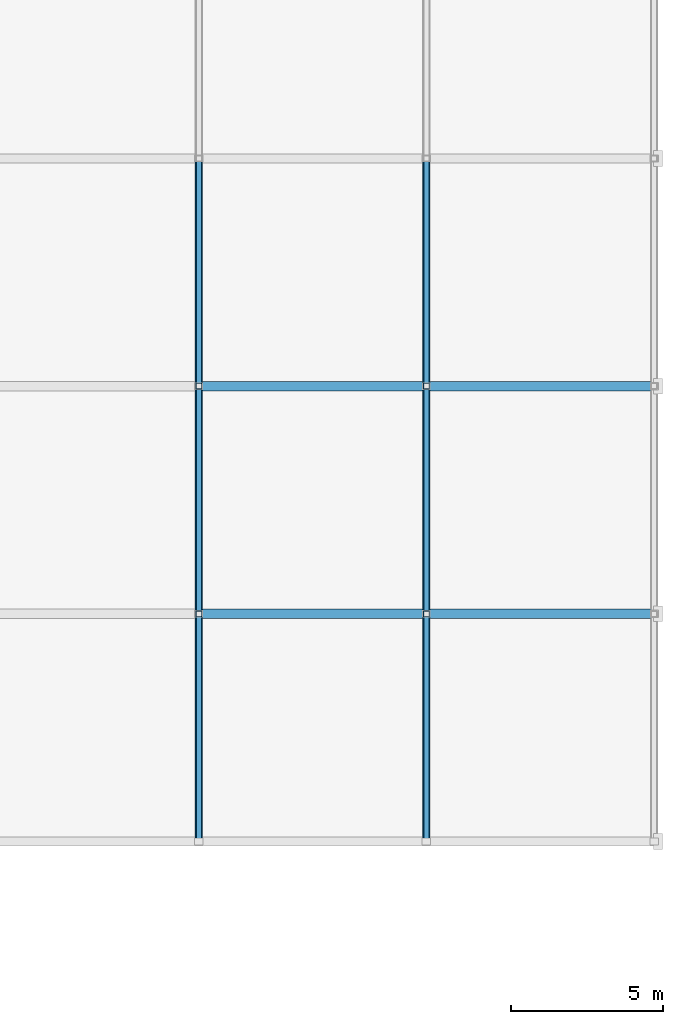
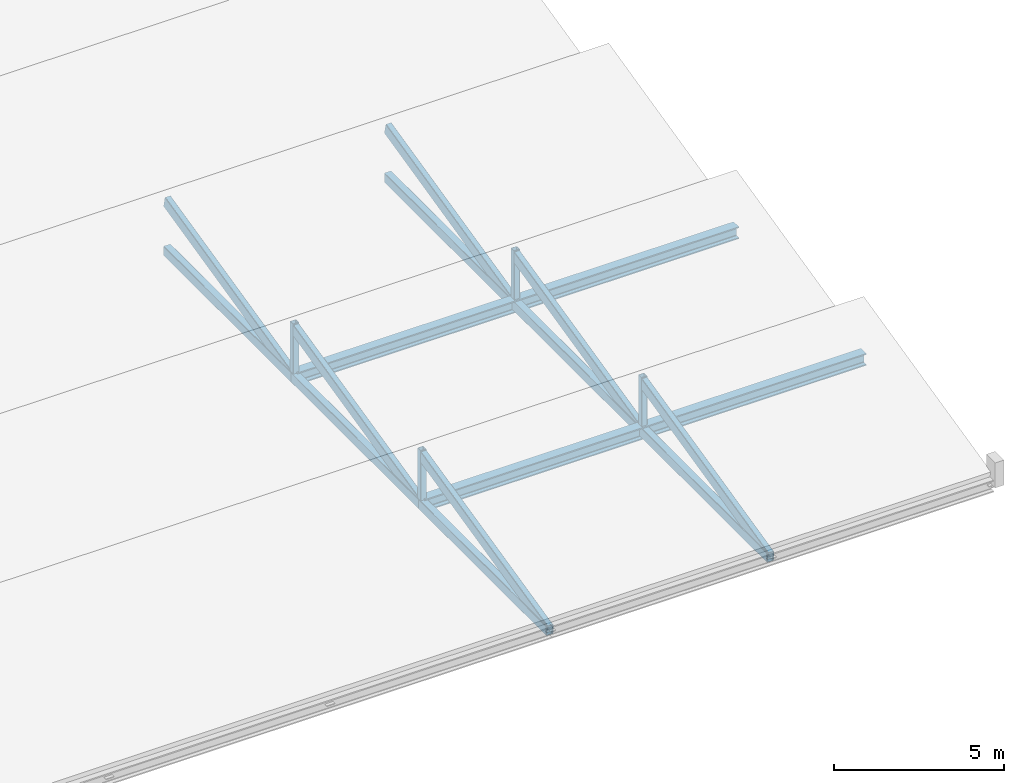
# One storey, part 43 of 82: 18 members.
"""IFC4 building model written with IfcOpenShell, lengths in metres."""

from ifc_helpers import new_model, si_unit, direction, frame, origin, origin_2d, place, context, subcontext, project, spatial, hollow_rectangle, i_section, extrude, material, material_profile, profile_set, type_object, element, save


model = new_model("IFC4")

# Units and contexts
model_context = context("Model", 3, precision=1e-05, world=origin(), true_north=direction((0.0, 1.0)))
body_context = subcontext(model_context, "Body", "Model", "MODEL_VIEW")
ifc_project = project(units=[si_unit("LENGTHUNIT", "METRE"), si_unit("AREAUNIT", "SQUARE_METRE"), si_unit("VOLUMEUNIT", "CUBIC_METRE"), si_unit("PLANEANGLEUNIT", "RADIAN"), si_unit("MASSUNIT", "GRAM", prefix="KILO")], contexts=[model_context])

# Site, building, storey
site_placement = place(None, origin())
site = spatial("IfcSite", under=ifc_project, at=site_placement, CompositionType="ELEMENT")
building_placement = place(site_placement, origin())
building = spatial("IfcBuilding", under=site, at=building_placement, Name="Qasida Concert Hall", CompositionType="ELEMENT")
storey_placement = place(building_placement, frame((0.0, 0.0, 17.10009765625)))
storey = spatial("IfcBuildingStorey", under=building, at=storey_placement, Name="L04", CompositionType="ELEMENT", Elevation=17.10009765625)

# Members
ifc_material = material(Name="Steel S355J2", Category="steel")
ifc_material_profile_1 = material_profile(ifc_material, i_section(OverallWidth=0.306884765625, OverallDepth=0.431884765625, WebThickness=0.02099609375, FlangeThickness=0.0400390625, FilletRadius=0.027099609375, at=origin_2d()), Name="HEM 400")
ifc_profile_set_1 = profile_set([ifc_material_profile_1], Name="Steel S355J2")
member_type_1 = type_object("IfcMemberType", Name="MB-CH3", PredefinedType="CHORD", material=ifc_profile_set_1)
for number, where, z_axis, x_axis, name in (
    (1, (150.0, 82.5, 0.0), (1.0, 0.0, 0.0), (0.0, 1.0, 0.0), "Roof truss sawtooth bottom chord V4T-004"),
    (2, (150.0, 90.0, 0.0), (1.0, 0.0, 0.0), (0.0, 1.0, 0.0), "Roof truss sawtooth bottom chord V4T-006"),
):
    element("IfcMember", number, at=place(storey_placement, frame(where, z_axis=z_axis, x_axis=x_axis)), inside=storey, type_object=member_type_1, Name=name, PredefinedType="CHORD", context=body_context, shape_type="SweptSolid", body=[
        extrude(i_section(OverallWidth=0.306884765625, OverallDepth=0.431884765625, WebThickness=0.02099609375, FlangeThickness=0.0400390625, FilletRadius=0.027099609375, at=origin_2d()), origin(), (0.0, 0.0, 1.0), 15.0),
    ])
ifc_material_profile_2 = material_profile(ifc_material, hollow_rectangle(XDim=0.199951171875, YDim=0.39990234375, WallThickness=0.01611328125, InnerFilletRadius=0.01611328125, OuterFilletRadius=0.031982421875, at=origin_2d()), Name="RHS 400x200x16")
ifc_profile_set_2 = profile_set([ifc_material_profile_2], Name="Steel S355J2")
member_type_2 = type_object("IfcMemberType", Name="MB-CH4", PredefinedType="CHORD", material=ifc_profile_set_2)
for number, where, z_axis, x_axis, name in (
    (3, (150.0, 75.0, 0.0), (0.0, 0.973841209742, 0.227229615606), (-1.0, 0.0, 0.0), "Roof truss sawtooth rafter V4R-023"),
    (4, (157.5, 75.0, 0.0), (0.0, 0.973841209742, 0.227229615606), (-1.0, 0.0, 0.0), "Roof truss sawtooth rafter V4R-026"),
    (5, (150.0, 82.5, 0.0), (0.0, 0.973841209742, 0.227229615606), (-1.0, 0.0, 0.0), "Roof truss sawtooth rafter V4R-041"),
    (6, (157.5, 82.5, 0.0), (0.0, 0.973841209742, 0.227229615606), (-1.0, 0.0, 0.0), "Roof truss sawtooth rafter V4R-044"),
    (7, (150.0, 90.0, 0.0), (0.0, 0.973841209742, 0.227229615606), (-1.0, 0.0, 0.0), "Roof truss sawtooth rafter V4R-059"),
    (8, (157.5, 90.0, 0.0), (0.0, 0.973841209742, 0.227229615606), (-1.0, 0.0, 0.0), "Roof truss sawtooth rafter V4R-062"),
):
    element("IfcMember", number, at=place(storey_placement, frame(where, z_axis=z_axis, x_axis=x_axis)), inside=storey, type_object=member_type_2, Name=name, PredefinedType="CHORD", context=body_context, shape_type="SweptSolid", body=[
        extrude(hollow_rectangle(XDim=0.199951171875, YDim=0.39990234375, WallThickness=0.01611328125, InnerFilletRadius=0.01611328125, OuterFilletRadius=0.031982421875, at=origin_2d()), origin(), (0.0, 0.0, 1.0), 7.701416015625),
    ])
ifc_material_profile_3 = material_profile(ifc_material, hollow_rectangle(XDim=0.25, YDim=0.35009765625, WallThickness=0.01611328125, InnerFilletRadius=0.01611328125, OuterFilletRadius=0.031982421875, at=origin_2d()), Name="RHS 350x250x16")
ifc_profile_set_3 = profile_set([ifc_material_profile_3], Name="Steel S355J2")
member_type_3 = type_object("IfcMemberType", Name="MB-CH5", PredefinedType="CHORD", material=ifc_profile_set_3)
for number, where, z_axis, x_axis, name in (
    (9, (150.0, 75.0, 0.0), (0.0, 1.0, 0.0), (-1.0, 0.0, 0.0), "Roof truss sawtooth tie V4B-022"),
    (10, (157.5, 75.0, 0.0), (0.0, 1.0, 0.0), (-1.0, 0.0, 0.0), "Roof truss sawtooth tie V4B-025"),
    (11, (150.0, 82.5, 0.0), (0.0, 1.0, 0.0), (-1.0, 0.0, 0.0), "Roof truss sawtooth tie V4B-040"),
    (12, (157.5, 82.5, 0.0), (0.0, 1.0, 0.0), (-1.0, 0.0, 0.0), "Roof truss sawtooth tie V4B-043"),
    (13, (150.0, 90.0, 0.0), (0.0, 1.0, 0.0), (-1.0, 0.0, 0.0), "Roof truss sawtooth tie V4B-058"),
    (14, (157.5, 90.0, 0.0), (0.0, 1.0, 0.0), (-1.0, 0.0, 0.0), "Roof truss sawtooth tie V4B-061"),
):
    element("IfcMember", number, at=place(storey_placement, frame(where, z_axis=z_axis, x_axis=x_axis)), inside=storey, type_object=member_type_3, Name=name, PredefinedType="CHORD", context=body_context, shape_type="SweptSolid", body=[
        extrude(hollow_rectangle(XDim=0.25, YDim=0.35009765625, WallThickness=0.01611328125, InnerFilletRadius=0.01611328125, OuterFilletRadius=0.031982421875, at=origin_2d()), origin(), (0.0, 0.0, 1.0), 7.5),
    ])
ifc_material_profile_4 = material_profile(ifc_material, hollow_rectangle(XDim=0.199951171875, YDim=0.199951171875, WallThickness=0.010009765625, InnerFilletRadius=0.010009765625, OuterFilletRadius=0.02001953125, at=origin_2d()), Name="SHS 200x200x10")
ifc_profile_set_4 = profile_set([ifc_material_profile_4], Name="Steel S355J2")
member_type_4 = type_object("IfcMemberType", Name="MB-ST6", PredefinedType="STRUT", material=ifc_profile_set_4)
for number, where, z_axis, x_axis, name in (
    (15, (150.0, 82.5, 0.0), (0.0, 0.0, 1.0), (1.0, 0.0, 0.0), "Roof truss sawtooth post V4V-024"),
    (16, (157.5, 82.5, 0.0), (0.0, 0.0, 1.0), (1.0, 0.0, 0.0), "Roof truss sawtooth post V4V-027"),
    (17, (150.0, 90.0, 0.0), (0.0, 0.0, 1.0), (1.0, 0.0, 0.0), "Roof truss sawtooth post V4V-042"),
    (18, (157.5, 90.0, 0.0), (0.0, 0.0, 1.0), (1.0, 0.0, 0.0), "Roof truss sawtooth post V4V-045"),
):
    element("IfcMember", number, at=place(storey_placement, frame(where, z_axis=z_axis, x_axis=x_axis)), inside=storey, type_object=member_type_4, Name=name, PredefinedType="STRUT", context=body_context, shape_type="SweptSolid", body=[
        extrude(hollow_rectangle(XDim=0.199951171875, YDim=0.199951171875, WallThickness=0.010009765625, InnerFilletRadius=0.010009765625, OuterFilletRadius=0.02001953125, at=origin_2d()), origin(), (0.0, 0.0, 1.0), 1.9599609375),
    ])

save(model, "model.ifc")
